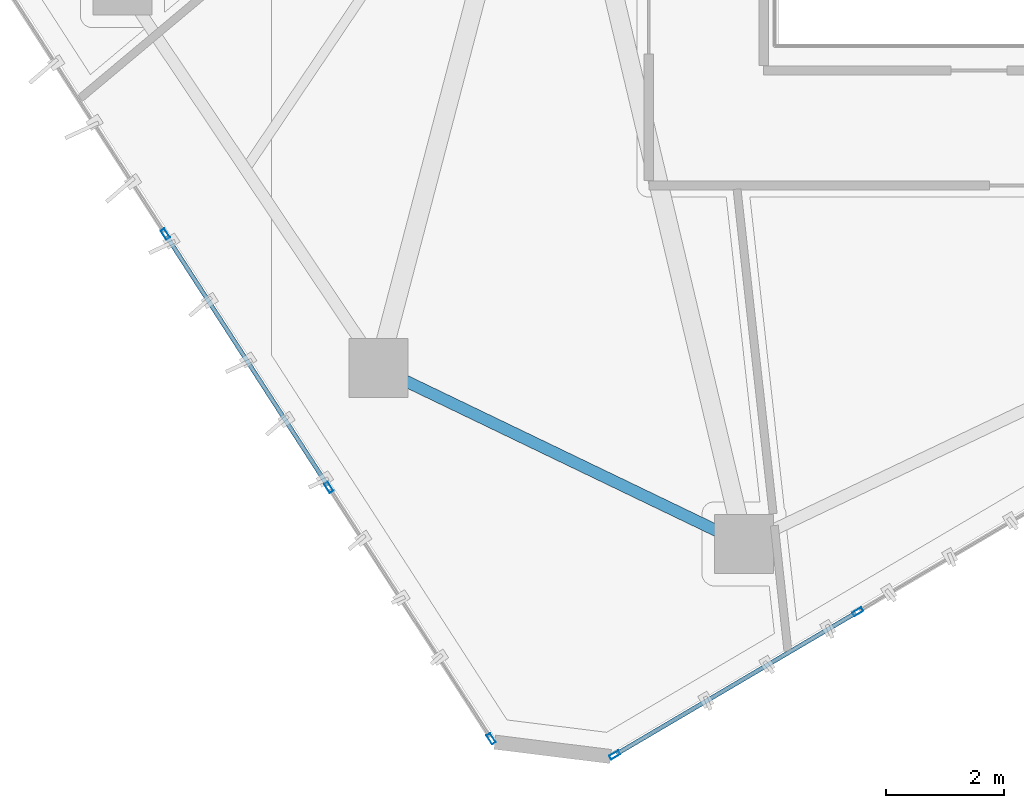
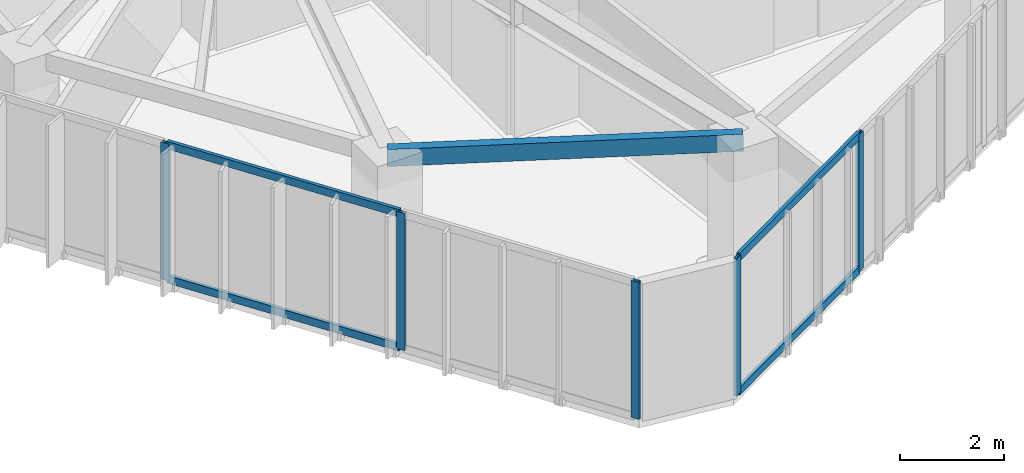
# One storey, part 2 of 19: 9 members, 1 beam, 2 elements without a shape of their own.
"""IFC4 building model written with IfcOpenShell, lengths in metres."""

from ifc_helpers import new_model, si_unit, direction, frame, origin, origin_2d, place, context, subcontext, project, spatial, hollow_rectangle, extrude, source, transform, mapped, material, layer, layer_set, material_profile, profile_set, type_object, type_shapes, element, aggregate, save


model = new_model("IFC4")

# Units and contexts
model_context = context("Model", 3, precision=1e-05, world=origin(), true_north=direction((0.0, 1.0)))
body_context = subcontext(model_context, "Body", "Model", "MODEL_VIEW")
ifc_project = project(units=[si_unit("LENGTHUNIT", "METRE"), si_unit("AREAUNIT", "SQUARE_METRE"), si_unit("VOLUMEUNIT", "CUBIC_METRE"), si_unit("PLANEANGLEUNIT", "RADIAN"), si_unit("MASSUNIT", "GRAM", prefix="KILO")], contexts=[model_context])

# Site, building, storey
site_placement = place(None, origin())
site = spatial("IfcSite", under=ifc_project, at=site_placement, CompositionType="ELEMENT")
building_placement = place(site_placement, origin())
building = spatial("IfcBuilding", under=site, at=building_placement, Name="Talar Marvaseh", CompositionType="ELEMENT")
storey_placement = place(building_placement, frame((0.0, 0.0, 181.0)))
storey = spatial("IfcBuildingStorey", under=building, at=storey_placement, Name="L47", CompositionType="ELEMENT", Elevation=181.0)

# Beam
ifc_material_1 = material(Name="Steel S355", Category="steel")
ifc_material_profile_1 = material_profile(ifc_material_1, hollow_rectangle(XDim=0.199951171875, YDim=0.39990234375, WallThickness=0.013916015625, at=origin_2d()), Name="RHS400x200x14")
ifc_profile_set_1 = profile_set([ifc_material_profile_1], Name="Steel S355")
beam_type = type_object("IfcBeamType", Name="Zone 3 Perimeter Spandrel Beam RHS400x200x14", PredefinedType="SPANDREL", material=ifc_profile_set_1)
beam_placement = place(storey_placement, frame((22.014892578125, 11.51904296875, 3.030029296875), z_axis=(-0.901071562993, 0.433670425975, 0.0), x_axis=(-0.433670425975, -0.901071562993, 0.0)))
element("IfcBeam", 1, at=beam_placement, inside=storey, type_object=beam_type, Name="L47 Zone 3 Perimeter Spandrel Beam RHS400x200x14", PredefinedType="SPANDREL", context=body_context, shape_type="SweptSolid", body=[
    extrude(hollow_rectangle(XDim=0.199951171875, YDim=0.39990234375, WallThickness=0.013916015625, at=origin_2d()), origin(), (0.0, 0.0, 1.0), 6.8759765625),
])

# Curtain wall, members
ifc_material_2 = material(Name="Architectural Aluminium", Category="aluminium")
ifc_layer = layer(ifc_material_2, 0.18994140625)
ifc_layer_set = layer_set([ifc_layer], Name="Architectural Aluminium")
curtain_wall_type = type_object("IfcCurtainWallType", Name="Unitised Solar Atelier Curtain Wall Z3", PredefinedType="NOTDEFINED", material=ifc_layer_set)
curtain_wall_1_placement = place(storey_placement, origin())
curtain_wall_1 = element("IfcCurtainWall", 2, at=curtain_wall_1_placement, inside=storey, type_object=curtain_wall_type, Name="L47 Unitised Solar Atelier Curtain Wall Z3", PredefinedType="NOTDEFINED")
ifc_material_profile_2 = material_profile(ifc_material_2, hollow_rectangle(XDim=0.074951171875, YDim=0.179931640625, WallThickness=0.0048828125, at=origin_2d()), Name="RHS180x75x5")
ifc_profile_set_2 = profile_set([ifc_material_profile_2], Name="Architectural Aluminium")
member_type_1 = type_object("IfcMemberType", Name="Unitised Curtain Wall Standard Mullion RHS180x75x5", PredefinedType="MULLION", material=ifc_profile_set_2)
shared_shape_1 = source(origin(), body_context, "Body", "SweptSolid", [
    extrude(hollow_rectangle(XDim=0.074951171875, YDim=0.179931640625, WallThickness=0.0048828125, at=origin_2d()), origin(), (0.0, 0.0, 1.0), 3.22998046875),
])
type_shapes(member_type_1, [shared_shape_1])
member_1_placement = place(storey_placement, frame((17.72607421875, 8.213623046875, 0.0), z_axis=(0.0, 0.0, 1.0), x_axis=(-0.840129242743, -0.542386260417, 0.0)))
member_1 = element("IfcMember", 3, at=member_1_placement, type_object=member_type_1, Name="CW-Z3 mullion 1", PredefinedType="MULLION", context=body_context, shape_type="MappedRepresentation", body=[
    mapped(shared_shape_1, transform((0.0, 0.0, 0.0), x_axis=(1.0, 0.0, 0.0), y_axis=(0.0, 1.0, 0.0), z_axis=(0.0, 0.0, 1.0), scale=1.0)),
])
member_2_placement = place(storey_placement, frame((14.973388671875, 12.4775390625, 0.0), z_axis=(0.0, 0.0, 1.0), x_axis=(-0.840129242743, -0.542386260417, 0.0)))
member_2 = element("IfcMember", 4, at=member_2_placement, type_object=member_type_1, Name="CW-Z3 mullion 2", PredefinedType="MULLION", context=body_context, shape_type="MappedRepresentation", body=[
    mapped(shared_shape_1, transform((0.0, 0.0, 0.0), x_axis=(1.0, 0.0, 0.0), y_axis=(0.0, 1.0, 0.0), z_axis=(0.0, 0.0, 1.0), scale=1.0)),
])
member_3_placement = place(storey_placement, frame((12.199951171875, 16.773193359375, 0.0), z_axis=(0.0, 0.0, 1.0), x_axis=(-0.840129242743, -0.542386260417, 0.0)))
member_3 = element("IfcMember", 5, at=member_3_placement, type_object=member_type_1, Name="CW-Z3 mullion 3", PredefinedType="MULLION", context=body_context, shape_type="MappedRepresentation", body=[
    mapped(shared_shape_1, transform((0.0, 0.0, 0.0), x_axis=(1.0, 0.0, 0.0), y_axis=(0.0, 1.0, 0.0), z_axis=(0.0, 0.0, 1.0), scale=1.0)),
])

curtain_wall_2_placement = place(storey_placement, origin())
curtain_wall_2 = element("IfcCurtainWall", 6, at=curtain_wall_2_placement, inside=storey, type_object=curtain_wall_type, Name="L47 Unitised Solar Atelier Curtain Wall Z3", PredefinedType="NOTDEFINED")
member_4_placement = place(storey_placement, frame((23.944580078125, 10.3671875, 0.0), z_axis=(0.0, 0.0, 1.0), x_axis=(0.507674097312, -0.861549192396, 0.0)))
member_4 = element("IfcMember", 7, at=member_4_placement, type_object=member_type_1, Name="CW-Z3 mullion 4", PredefinedType="MULLION", context=body_context, shape_type="MappedRepresentation", body=[
    mapped(shared_shape_1, transform((0.0, 0.0, 0.0), x_axis=(1.0, 0.0, 0.0), y_axis=(0.0, 1.0, 0.0), z_axis=(0.0, 0.0, 1.0), scale=1.0)),
])
member_5_placement = place(storey_placement, frame((19.822509765625, 7.938232421875, 0.0), z_axis=(0.0, 0.0, 1.0), x_axis=(0.507674097312, -0.861549192396, 0.0)))
member_5 = element("IfcMember", 8, at=member_5_placement, type_object=member_type_1, Name="CW-Z3 mullion 5", PredefinedType="MULLION", context=body_context, shape_type="MappedRepresentation", body=[
    mapped(shared_shape_1, transform((0.0, 0.0, 0.0), x_axis=(1.0, 0.0, 0.0), y_axis=(0.0, 1.0, 0.0), z_axis=(0.0, 0.0, 1.0), scale=1.0)),
])

# Member
ifc_material_profile_3 = material_profile(ifc_material_2, hollow_rectangle(XDim=0.074951171875, YDim=0.179931640625, WallThickness=0.0048828125, at=origin_2d()), Name="RHS180x75x5")
ifc_profile_set_3 = profile_set([ifc_material_profile_3], Name="Architectural Aluminium")
member_type_2 = type_object("IfcMemberType", Name="Unitised Curtain Wall Transom RHS180x75x5", PredefinedType="USERDEFINED", material=ifc_profile_set_3)
shared_shape_2 = source(origin(), body_context, "Body", "SweptSolid", [
    extrude(hollow_rectangle(XDim=0.074951171875, YDim=0.179931640625, WallThickness=0.0048828125, at=origin_2d()), origin(), (0.0, 0.0, 1.0), 5.0380859375),
])
member_6_placement = place(storey_placement, frame((14.952880859375, 12.509033203125, 0.03759765625), z_axis=(-0.542360851067, 0.840145646439, 0.0), x_axis=(-0.840145646439, -0.542360851067, 0.0)))
member_6 = element("IfcMember", 9, at=member_6_placement, type_object=member_type_2, Name="CW-Z3 transom 2.1", ObjectType="TRANSOM", PredefinedType="USERDEFINED", context=body_context, shape_type="MappedRepresentation", body=[
    mapped(shared_shape_2, transform((0.0, 0.0, 0.0), x_axis=(1.0, 0.0, 0.0), y_axis=(0.0, 1.0, 0.0), z_axis=(0.0, 0.0, 1.0), scale=1.0)),
])

member_7_placement = place(storey_placement, frame((14.952880859375, 12.509033203125, 3.1923828125), z_axis=(-0.542360851067, 0.840145646439, 0.0), x_axis=(-0.840145646439, -0.542360851067, 0.0)))
member_7 = element("IfcMember", 10, at=member_7_placement, type_object=member_type_2, Name="CW-Z3 transom 2.2", ObjectType="TRANSOM", PredefinedType="USERDEFINED", context=body_context, shape_type="MappedRepresentation", body=[
    mapped(shared_shape_2, transform((0.0, 0.0, 0.0), x_axis=(1.0, 0.0, 0.0), y_axis=(0.0, 1.0, 0.0), z_axis=(0.0, 0.0, 1.0), scale=1.0)),
])

aggregate(curtain_wall_1, [member_1, member_2, member_3, member_6, member_7])

shared_shape_3 = source(origin(), body_context, "Body", "SweptSolid", [
    extrude(hollow_rectangle(XDim=0.074951171875, YDim=0.179931640625, WallThickness=0.0048828125, at=origin_2d()), origin(), (0.0, 0.0, 1.0), 4.70947265625),
])
type_shapes(member_type_2, [shared_shape_2, shared_shape_3])
member_8_placement = place(storey_placement, frame((23.912109375, 10.34814453125, 0.03759765625), z_axis=(-0.861546154772, -0.507679252282, 0.0), x_axis=(0.507679252282, -0.861546154772, 0.0)))
member_8 = element("IfcMember", 11, at=member_8_placement, type_object=member_type_2, Name="CW-Z3 transom 4.1", ObjectType="TRANSOM", PredefinedType="USERDEFINED", context=body_context, shape_type="MappedRepresentation", body=[
    mapped(shared_shape_3, transform((0.0, 0.0, 0.0), x_axis=(1.0, 0.0, 0.0), y_axis=(0.0, 1.0, 0.0), z_axis=(0.0, 0.0, 1.0), scale=1.0)),
])

member_9_placement = place(storey_placement, frame((23.912109375, 10.34814453125, 3.1923828125), z_axis=(-0.861546154772, -0.507679252282, 0.0), x_axis=(0.507679252282, -0.861546154772, 0.0)))
member_9 = element("IfcMember", 12, at=member_9_placement, type_object=member_type_2, Name="CW-Z3 transom 4.2", ObjectType="TRANSOM", PredefinedType="USERDEFINED", context=body_context, shape_type="MappedRepresentation", body=[
    mapped(shared_shape_3, transform((0.0, 0.0, 0.0), x_axis=(1.0, 0.0, 0.0), y_axis=(0.0, 1.0, 0.0), z_axis=(0.0, 0.0, 1.0), scale=1.0)),
])

aggregate(curtain_wall_2, [member_4, member_5, member_8, member_9])

save(model, "model.ifc")
